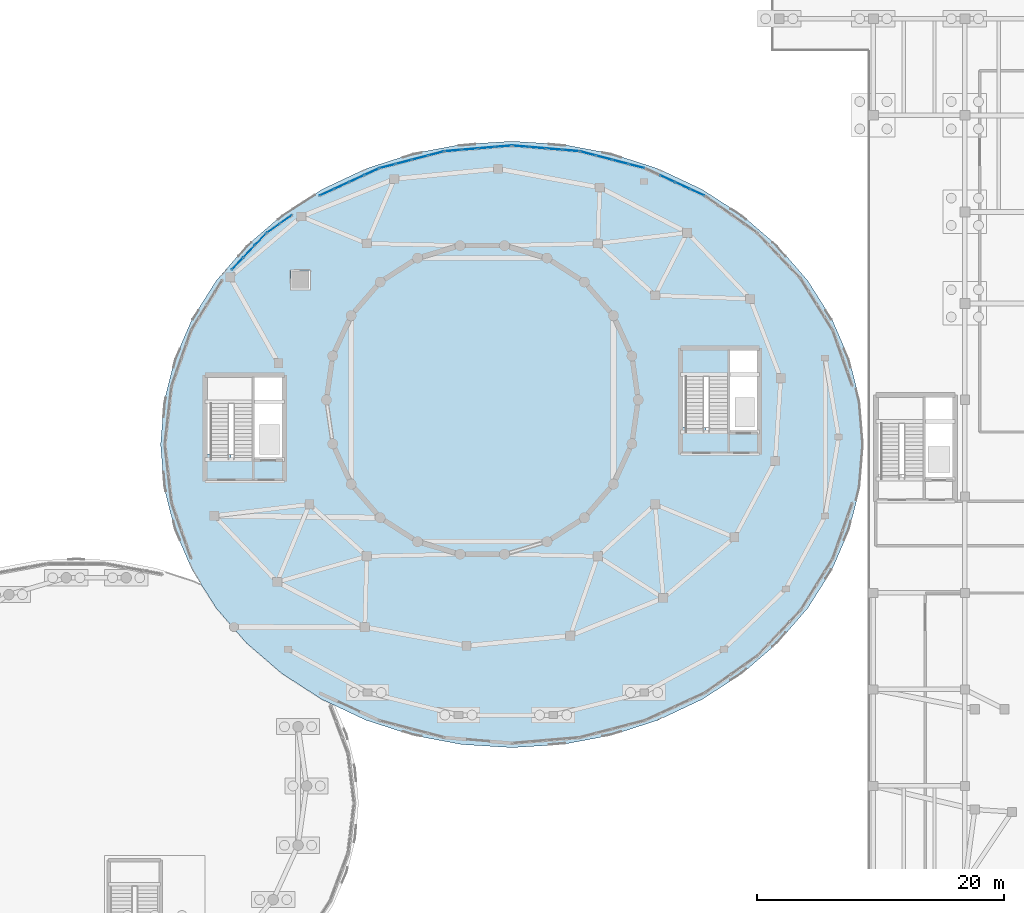
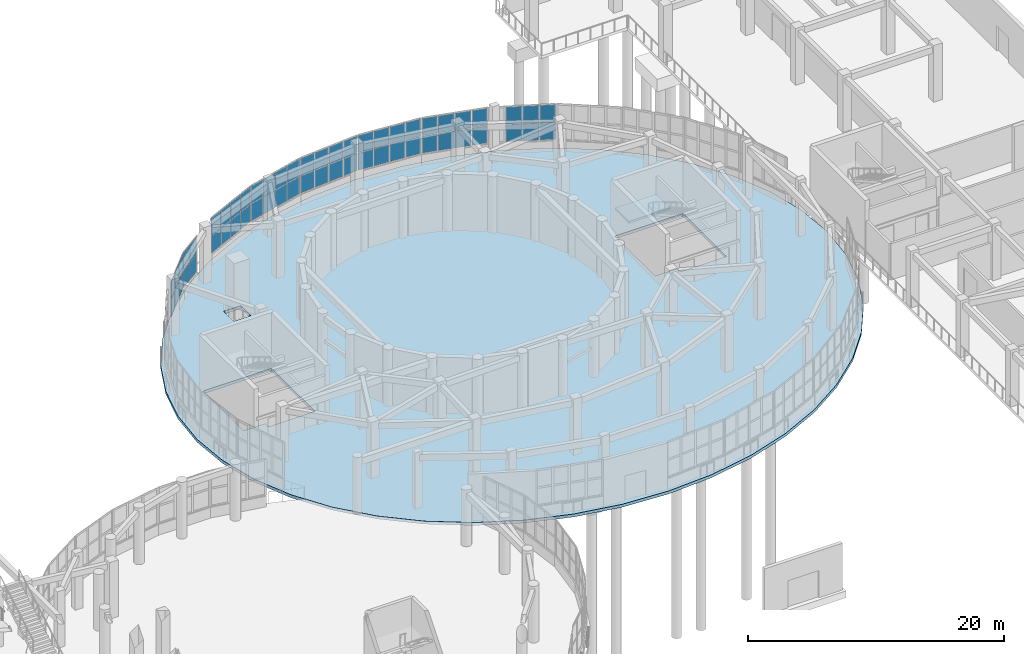
# One storey, part 66 of 96: 56 plates, 2 slabs, 9 elements without a shape of their own.
"""IFC4 building model written with IfcOpenShell, lengths in metres."""

from ifc_helpers import new_model, si_unit, direction, frame, origin, origin_2d, place, context, subcontext, project, spatial, polyline, rectangle, outline, extrude, material, layer, layer_set, type_object, element, aggregate, save


model = new_model("IFC4")

# Units and contexts
model_context = context("Model", 3, precision=1e-05, world=origin(), true_north=direction((0.0, 1.0)))
body_context = subcontext(model_context, "Body", "Model", "MODEL_VIEW")
ifc_project = project(units=[si_unit("LENGTHUNIT", "METRE"), si_unit("AREAUNIT", "SQUARE_METRE"), si_unit("VOLUMEUNIT", "CUBIC_METRE"), si_unit("PLANEANGLEUNIT", "RADIAN"), si_unit("MASSUNIT", "GRAM", prefix="KILO")], contexts=[model_context])

# Site, building, storey
site_placement = place(None, origin())
site = spatial("IfcSite", under=ifc_project, at=site_placement, CompositionType="ELEMENT")
building_placement = place(site_placement, origin())
building = spatial("IfcBuilding", under=site, at=building_placement, Name="Pelvatis Terrace Science Centre", CompositionType="ELEMENT")
storey_placement = place(building_placement, origin())
storey = spatial("IfcBuildingStorey", under=building, at=storey_placement, Name="L00", CompositionType="ELEMENT", Elevation=0.0)

# Curtain wall, plates
ifc_material_1 = material(Name="Bronze-anodised aluminium and laminated glass", Category="aluminium")
ifc_layer_1 = layer(ifc_material_1, 0.199951171875)
ifc_layer_set_1 = layer_set([ifc_layer_1], Name="Bronze-anodised aluminium and laminated glass")
curtain_wall_type = type_object("IfcCurtainWallType", Name="CW-RIBBON-B", PredefinedType="NOTDEFINED", material=ifc_layer_set_1)
curtain_wall_1_placement = place(storey_placement, origin())
curtain_wall_1 = element("IfcCurtainWall", 1, at=curtain_wall_1_placement, inside=storey, type_object=curtain_wall_type, Name="Ribbon curtain wall CW-105 (L00)", PredefinedType="NOTDEFINED")
ifc_material_2 = material(Name="Low-e laminated solar-control double glazing", Category="glass")
ifc_layer_2 = layer(ifc_material_2, 0.031982421875)
ifc_layer_set_2 = layer_set([ifc_layer_2], Name="Low-e laminated solar-control double glazing")
plate_type = type_object("IfcPlateType", Name="CWP-IGU-32", PredefinedType="CURTAIN_PANEL", material=ifc_layer_set_2)
plate_1_placement = place(storey_placement, frame((126.562744140625, 102.565673828125, 1.0849609375), z_axis=(0.0, 0.0, 1.0), x_axis=(-0.908421026067, 0.41805650264, 0.0)))
plate_1 = element("IfcPlate", 2, at=plate_1_placement, type_object=plate_type, Name="CW-105 panel 1.1", PredefinedType="CURTAIN_PANEL", context=body_context, shape_type="SweptSolid", body=[
    extrude(rectangle(XDim=1.237060546875, YDim=0.031982421875, at=origin_2d()), origin(), (0.0, 0.0, 1.0), 1.62255859375),
])
plate_2_placement = place(storey_placement, frame((126.562744140625, 102.565673828125, 2.7724609375), z_axis=(0.0, 0.0, 1.0), x_axis=(-0.908421026067, 0.41805650264, 0.0)))
plate_2 = element("IfcPlate", 3, at=plate_2_placement, type_object=plate_type, Name="CW-105 panel 1.2", PredefinedType="CURTAIN_PANEL", context=body_context, shape_type="SweptSolid", body=[
    extrude(rectangle(XDim=1.237060546875, YDim=0.031982421875, at=origin_2d()), origin(), (0.0, 0.0, 1.0), 1.62255859375),
])
plate_3_placement = place(storey_placement, frame((125.365234375, 103.116943359375, 1.0849609375), z_axis=(0.0, 0.0, 1.0), x_axis=(-0.908421026067, 0.41805650264, 0.0)))
plate_3 = element("IfcPlate", 4, at=plate_3_placement, type_object=plate_type, Name="CW-105 panel 2.1", PredefinedType="CURTAIN_PANEL", context=body_context, shape_type="SweptSolid", body=[
    extrude(rectangle(XDim=1.26953125, YDim=0.031982421875, at=origin_2d()), origin(), (0.0, 0.0, 1.0), 1.62255859375),
])
plate_4_placement = place(storey_placement, frame((125.365234375, 103.116943359375, 2.7724609375), z_axis=(0.0, 0.0, 1.0), x_axis=(-0.908421026067, 0.41805650264, 0.0)))
plate_4 = element("IfcPlate", 5, at=plate_4_placement, type_object=plate_type, Name="CW-105 panel 2.2", PredefinedType="CURTAIN_PANEL", context=body_context, shape_type="SweptSolid", body=[
    extrude(rectangle(XDim=1.26953125, YDim=0.031982421875, at=origin_2d()), origin(), (0.0, 0.0, 1.0), 1.62255859375),
])
plate_5_placement = place(storey_placement, frame((124.15283203125, 103.6748046875, 1.0849609375), z_axis=(0.0, 0.0, 1.0), x_axis=(-0.908421026067, 0.41805650264, 0.0)))
plate_5 = element("IfcPlate", 6, at=plate_5_placement, type_object=plate_type, Name="CW-105 panel 3.1", PredefinedType="CURTAIN_PANEL", context=body_context, shape_type="SweptSolid", body=[
    extrude(rectangle(XDim=1.26953125, YDim=0.031982421875, at=origin_2d()), origin(), (0.0, 0.0, 1.0), 1.62255859375),
])
plate_6_placement = place(storey_placement, frame((124.15283203125, 103.6748046875, 2.7724609375), z_axis=(0.0, 0.0, 1.0), x_axis=(-0.908421026067, 0.41805650264, 0.0)))
plate_6 = element("IfcPlate", 7, at=plate_6_placement, type_object=plate_type, Name="CW-105 panel 3.2", PredefinedType="CURTAIN_PANEL", context=body_context, shape_type="SweptSolid", body=[
    extrude(rectangle(XDim=1.26953125, YDim=0.031982421875, at=origin_2d()), origin(), (0.0, 0.0, 1.0), 1.62255859375),
])
aggregate(curtain_wall_1, [plate_1, plate_2, plate_3, plate_4, plate_5, plate_6])

curtain_wall_2_placement = place(storey_placement, origin())
curtain_wall_2 = element("IfcCurtainWall", 8, at=curtain_wall_2_placement, inside=storey, type_object=curtain_wall_type, Name="Ribbon curtain wall CW-106 (L00)", PredefinedType="NOTDEFINED")
plate_7_placement = place(storey_placement, frame((121.660888671875, 104.6875, 1.0849609375), z_axis=(0.0, 0.0, 1.0), x_axis=(-0.967545180389, 0.252698088449, 0.0)))
plate_7 = element("IfcPlate", 9, at=plate_7_placement, type_object=plate_type, Name="CW-106 panel 1.1", PredefinedType="CURTAIN_PANEL", context=body_context, shape_type="SweptSolid", body=[
    extrude(rectangle(XDim=1.26220703125, YDim=0.031982421875, at=origin_2d()), origin(), (0.0, 0.0, 1.0), 1.62255859375),
])
plate_8_placement = place(storey_placement, frame((121.660888671875, 104.6875, 2.7724609375), z_axis=(0.0, 0.0, 1.0), x_axis=(-0.967545180389, 0.252698088449, 0.0)))
plate_8 = element("IfcPlate", 10, at=plate_8_placement, type_object=plate_type, Name="CW-106 panel 1.2", PredefinedType="CURTAIN_PANEL", context=body_context, shape_type="SweptSolid", body=[
    extrude(rectangle(XDim=1.26220703125, YDim=0.031982421875, at=origin_2d()), origin(), (0.0, 0.0, 1.0), 1.62255859375),
])
plate_9_placement = place(storey_placement, frame((120.361083984375, 105.027099609375, 1.0849609375), z_axis=(0.0, 0.0, 1.0), x_axis=(-0.967545180389, 0.252698088449, 0.0)))
plate_9 = element("IfcPlate", 11, at=plate_9_placement, type_object=plate_type, Name="CW-106 panel 2.1", PredefinedType="CURTAIN_PANEL", context=body_context, shape_type="SweptSolid", body=[
    extrude(rectangle(XDim=1.294677734375, YDim=0.031982421875, at=origin_2d()), origin(), (0.0, 0.0, 1.0), 1.62255859375),
])
plate_10_placement = place(storey_placement, frame((120.361083984375, 105.027099609375, 2.7724609375), z_axis=(0.0, 0.0, 1.0), x_axis=(-0.967545180389, 0.252698088449, 0.0)))
plate_10 = element("IfcPlate", 12, at=plate_10_placement, type_object=plate_type, Name="CW-106 panel 2.2", PredefinedType="CURTAIN_PANEL", context=body_context, shape_type="SweptSolid", body=[
    extrude(rectangle(XDim=1.294677734375, YDim=0.031982421875, at=origin_2d()), origin(), (0.0, 0.0, 1.0), 1.62255859375),
])
plate_11_placement = place(storey_placement, frame((119.045654296875, 105.37060546875, 1.0849609375), z_axis=(0.0, 0.0, 1.0), x_axis=(-0.967545180389, 0.252698088449, 0.0)))
plate_11 = element("IfcPlate", 13, at=plate_11_placement, type_object=plate_type, Name="CW-106 panel 3.1", PredefinedType="CURTAIN_PANEL", context=body_context, shape_type="SweptSolid", body=[
    extrude(rectangle(XDim=1.294677734375, YDim=0.031982421875, at=origin_2d()), origin(), (0.0, 0.0, 1.0), 1.62255859375),
])
plate_12_placement = place(storey_placement, frame((119.045654296875, 105.37060546875, 2.7724609375), z_axis=(0.0, 0.0, 1.0), x_axis=(-0.967545180389, 0.252698088449, 0.0)))
plate_12 = element("IfcPlate", 14, at=plate_12_placement, type_object=plate_type, Name="CW-106 panel 3.2", PredefinedType="CURTAIN_PANEL", context=body_context, shape_type="SweptSolid", body=[
    extrude(rectangle(XDim=1.294677734375, YDim=0.031982421875, at=origin_2d()), origin(), (0.0, 0.0, 1.0), 1.62255859375),
])
plate_13_placement = place(storey_placement, frame((117.745849609375, 105.710205078125, 1.0849609375), z_axis=(0.0, 0.0, 1.0), x_axis=(-0.967545180389, 0.252698088449, 0.0)))
plate_13 = element("IfcPlate", 15, at=plate_13_placement, type_object=plate_type, Name="CW-106 panel 4.1", PredefinedType="CURTAIN_PANEL", context=body_context, shape_type="SweptSolid", body=[
    extrude(rectangle(XDim=1.26220703125, YDim=0.031982421875, at=origin_2d()), origin(), (0.0, 0.0, 1.0), 1.62255859375),
])
plate_14_placement = place(storey_placement, frame((117.745849609375, 105.710205078125, 2.7724609375), z_axis=(0.0, 0.0, 1.0), x_axis=(-0.967545180389, 0.252698088449, 0.0)))
plate_14 = element("IfcPlate", 16, at=plate_14_placement, type_object=plate_type, Name="CW-106 panel 4.2", PredefinedType="CURTAIN_PANEL", context=body_context, shape_type="SweptSolid", body=[
    extrude(rectangle(XDim=1.26220703125, YDim=0.031982421875, at=origin_2d()), origin(), (0.0, 0.0, 1.0), 1.62255859375),
])
aggregate(curtain_wall_2, [plate_7, plate_8, plate_9, plate_10, plate_11, plate_12, plate_13, plate_14])

curtain_wall_3_placement = place(storey_placement, origin())
curtain_wall_3 = element("IfcCurtainWall", 17, at=curtain_wall_3_placement, inside=storey, type_object=curtain_wall_type, Name="Ribbon curtain wall CW-107 (L00)", PredefinedType="NOTDEFINED")
plate_15_placement = place(storey_placement, frame((116.3720703125, 105.9453125, 1.0849609375), z_axis=(0.0, 0.0, 1.0), x_axis=(-0.996424538597, 0.084487507255, 0.0)))
plate_15 = element("IfcPlate", 18, at=plate_15_placement, type_object=plate_type, Name="CW-107 panel 1.1", PredefinedType="CURTAIN_PANEL", context=body_context, shape_type="SweptSolid", body=[
    extrude(rectangle(XDim=1.275390625, YDim=0.031982421875, at=origin_2d()), origin(), (0.0, 0.0, 1.0), 1.62255859375),
])
plate_16_placement = place(storey_placement, frame((116.3720703125, 105.9453125, 2.7724609375), z_axis=(0.0, 0.0, 1.0), x_axis=(-0.996424538597, 0.084487507255, 0.0)))
plate_16 = element("IfcPlate", 19, at=plate_16_placement, type_object=plate_type, Name="CW-107 panel 1.2", PredefinedType="CURTAIN_PANEL", context=body_context, shape_type="SweptSolid", body=[
    extrude(rectangle(XDim=1.275390625, YDim=0.031982421875, at=origin_2d()), origin(), (0.0, 0.0, 1.0), 1.62255859375),
])
plate_17_placement = place(storey_placement, frame((115.020263671875, 106.06005859375, 1.0849609375), z_axis=(0.0, 0.0, 1.0), x_axis=(-0.996424538597, 0.084487507255, 0.0)))
plate_17 = element("IfcPlate", 20, at=plate_17_placement, type_object=plate_type, Name="CW-107 panel 2.1", PredefinedType="CURTAIN_PANEL", context=body_context, shape_type="SweptSolid", body=[
    extrude(rectangle(XDim=1.30810546875, YDim=0.031982421875, at=origin_2d()), origin(), (0.0, 0.0, 1.0), 1.62255859375),
])
plate_18_placement = place(storey_placement, frame((115.020263671875, 106.06005859375, 2.7724609375), z_axis=(0.0, 0.0, 1.0), x_axis=(-0.996424538597, 0.084487507255, 0.0)))
plate_18 = element("IfcPlate", 21, at=plate_18_placement, type_object=plate_type, Name="CW-107 panel 2.2", PredefinedType="CURTAIN_PANEL", context=body_context, shape_type="SweptSolid", body=[
    extrude(rectangle(XDim=1.30810546875, YDim=0.031982421875, at=origin_2d()), origin(), (0.0, 0.0, 1.0), 1.62255859375),
])
plate_19_placement = place(storey_placement, frame((113.652099609375, 106.176025390625, 1.0849609375), z_axis=(0.0, 0.0, 1.0), x_axis=(-0.996424538597, 0.084487507255, 0.0)))
plate_19 = element("IfcPlate", 22, at=plate_19_placement, type_object=plate_type, Name="CW-107 panel 3.1", PredefinedType="CURTAIN_PANEL", context=body_context, shape_type="SweptSolid", body=[
    extrude(rectangle(XDim=1.30810546875, YDim=0.031982421875, at=origin_2d()), origin(), (0.0, 0.0, 1.0), 1.62255859375),
])
plate_20_placement = place(storey_placement, frame((113.652099609375, 106.176025390625, 2.7724609375), z_axis=(0.0, 0.0, 1.0), x_axis=(-0.996424538597, 0.084487507255, 0.0)))
plate_20 = element("IfcPlate", 23, at=plate_20_placement, type_object=plate_type, Name="CW-107 panel 3.2", PredefinedType="CURTAIN_PANEL", context=body_context, shape_type="SweptSolid", body=[
    extrude(rectangle(XDim=1.30810546875, YDim=0.031982421875, at=origin_2d()), origin(), (0.0, 0.0, 1.0), 1.62255859375),
])
plate_21_placement = place(storey_placement, frame((112.30029296875, 106.29052734375, 1.0849609375), z_axis=(0.0, 0.0, 1.0), x_axis=(-0.996424538597, 0.084487507255, 0.0)))
plate_21 = element("IfcPlate", 24, at=plate_21_placement, type_object=plate_type, Name="CW-107 panel 4.1", PredefinedType="CURTAIN_PANEL", context=body_context, shape_type="SweptSolid", body=[
    extrude(rectangle(XDim=1.275390625, YDim=0.031982421875, at=origin_2d()), origin(), (0.0, 0.0, 1.0), 1.62255859375),
])
plate_22_placement = place(storey_placement, frame((112.30029296875, 106.29052734375, 2.7724609375), z_axis=(0.0, 0.0, 1.0), x_axis=(-0.996424538597, 0.084487507255, 0.0)))
plate_22 = element("IfcPlate", 25, at=plate_22_placement, type_object=plate_type, Name="CW-107 panel 4.2", PredefinedType="CURTAIN_PANEL", context=body_context, shape_type="SweptSolid", body=[
    extrude(rectangle(XDim=1.275390625, YDim=0.031982421875, at=origin_2d()), origin(), (0.0, 0.0, 1.0), 1.62255859375),
])
aggregate(curtain_wall_3, [plate_15, plate_16, plate_17, plate_18, plate_19, plate_20, plate_21, plate_22])

curtain_wall_4_placement = place(storey_placement, origin())
curtain_wall_4 = element("IfcCurtainWall", 26, at=curtain_wall_4_placement, inside=storey, type_object=curtain_wall_type, Name="Ribbon curtain wall CW-108 (L00)", PredefinedType="NOTDEFINED")
plate_23_placement = place(storey_placement, frame((110.899658203125, 106.29052734375, 1.0849609375), z_axis=(0.0, 0.0, 1.0), x_axis=(-0.996424538597, -0.084487507255, 0.0)))
plate_23 = element("IfcPlate", 27, at=plate_23_placement, type_object=plate_type, Name="CW-108 panel 1.1", PredefinedType="CURTAIN_PANEL", context=body_context, shape_type="SweptSolid", body=[
    extrude(rectangle(XDim=1.275390625, YDim=0.031982421875, at=origin_2d()), origin(), (0.0, 0.0, 1.0), 1.62255859375),
])
plate_24_placement = place(storey_placement, frame((110.899658203125, 106.29052734375, 2.7724609375), z_axis=(0.0, 0.0, 1.0), x_axis=(-0.996424538597, -0.084487507255, 0.0)))
plate_24 = element("IfcPlate", 28, at=plate_24_placement, type_object=plate_type, Name="CW-108 panel 1.2", PredefinedType="CURTAIN_PANEL", context=body_context, shape_type="SweptSolid", body=[
    extrude(rectangle(XDim=1.275390625, YDim=0.031982421875, at=origin_2d()), origin(), (0.0, 0.0, 1.0), 1.62255859375),
])
plate_25_placement = place(storey_placement, frame((109.5478515625, 106.176025390625, 1.0849609375), z_axis=(0.0, 0.0, 1.0), x_axis=(-0.996424538597, -0.084487507255, 0.0)))
plate_25 = element("IfcPlate", 29, at=plate_25_placement, type_object=plate_type, Name="CW-108 panel 2.1", PredefinedType="CURTAIN_PANEL", context=body_context, shape_type="SweptSolid", body=[
    extrude(rectangle(XDim=1.30810546875, YDim=0.031982421875, at=origin_2d()), origin(), (0.0, 0.0, 1.0), 1.62255859375),
])
plate_26_placement = place(storey_placement, frame((109.5478515625, 106.176025390625, 2.7724609375), z_axis=(0.0, 0.0, 1.0), x_axis=(-0.996424538597, -0.084487507255, 0.0)))
plate_26 = element("IfcPlate", 30, at=plate_26_placement, type_object=plate_type, Name="CW-108 panel 2.2", PredefinedType="CURTAIN_PANEL", context=body_context, shape_type="SweptSolid", body=[
    extrude(rectangle(XDim=1.30810546875, YDim=0.031982421875, at=origin_2d()), origin(), (0.0, 0.0, 1.0), 1.62255859375),
])
plate_27_placement = place(storey_placement, frame((108.179931640625, 106.06005859375, 1.0849609375), z_axis=(0.0, 0.0, 1.0), x_axis=(-0.996424538597, -0.084487507255, 0.0)))
plate_27 = element("IfcPlate", 31, at=plate_27_placement, type_object=plate_type, Name="CW-108 panel 3.1", PredefinedType="CURTAIN_PANEL", context=body_context, shape_type="SweptSolid", body=[
    extrude(rectangle(XDim=1.30810546875, YDim=0.031982421875, at=origin_2d()), origin(), (0.0, 0.0, 1.0), 1.62255859375),
])
plate_28_placement = place(storey_placement, frame((108.179931640625, 106.06005859375, 2.7724609375), z_axis=(0.0, 0.0, 1.0), x_axis=(-0.996424538597, -0.084487507255, 0.0)))
plate_28 = element("IfcPlate", 32, at=plate_28_placement, type_object=plate_type, Name="CW-108 panel 3.2", PredefinedType="CURTAIN_PANEL", context=body_context, shape_type="SweptSolid", body=[
    extrude(rectangle(XDim=1.30810546875, YDim=0.031982421875, at=origin_2d()), origin(), (0.0, 0.0, 1.0), 1.62255859375),
])
plate_29_placement = place(storey_placement, frame((106.827880859375, 105.9453125, 1.0849609375), z_axis=(0.0, 0.0, 1.0), x_axis=(-0.996424538597, -0.084487507255, 0.0)))
plate_29 = element("IfcPlate", 33, at=plate_29_placement, type_object=plate_type, Name="CW-108 panel 4.1", PredefinedType="CURTAIN_PANEL", context=body_context, shape_type="SweptSolid", body=[
    extrude(rectangle(XDim=1.275390625, YDim=0.031982421875, at=origin_2d()), origin(), (0.0, 0.0, 1.0), 1.62255859375),
])
plate_30_placement = place(storey_placement, frame((106.827880859375, 105.9453125, 2.7724609375), z_axis=(0.0, 0.0, 1.0), x_axis=(-0.996424538597, -0.084487507255, 0.0)))
plate_30 = element("IfcPlate", 34, at=plate_30_placement, type_object=plate_type, Name="CW-108 panel 4.2", PredefinedType="CURTAIN_PANEL", context=body_context, shape_type="SweptSolid", body=[
    extrude(rectangle(XDim=1.275390625, YDim=0.031982421875, at=origin_2d()), origin(), (0.0, 0.0, 1.0), 1.62255859375),
])
aggregate(curtain_wall_4, [plate_23, plate_24, plate_25, plate_26, plate_27, plate_28, plate_29, plate_30])

curtain_wall_5_placement = place(storey_placement, origin())
curtain_wall_5 = element("IfcCurtainWall", 35, at=curtain_wall_5_placement, inside=storey, type_object=curtain_wall_type, Name="Ribbon curtain wall CW-109 (L00)", PredefinedType="NOTDEFINED")
plate_31_placement = place(storey_placement, frame((105.454345703125, 105.710205078125, 1.0849609375), z_axis=(0.0, 0.0, 1.0), x_axis=(-0.967545180389, -0.252698088449, 0.0)))
plate_31 = element("IfcPlate", 36, at=plate_31_placement, type_object=plate_type, Name="CW-109 panel 1.1", PredefinedType="CURTAIN_PANEL", context=body_context, shape_type="SweptSolid", body=[
    extrude(rectangle(XDim=1.26220703125, YDim=0.031982421875, at=origin_2d()), origin(), (0.0, 0.0, 1.0), 1.62255859375),
])
plate_32_placement = place(storey_placement, frame((105.454345703125, 105.710205078125, 2.7724609375), z_axis=(0.0, 0.0, 1.0), x_axis=(-0.967545180389, -0.252698088449, 0.0)))
plate_32 = element("IfcPlate", 37, at=plate_32_placement, type_object=plate_type, Name="CW-109 panel 1.2", PredefinedType="CURTAIN_PANEL", context=body_context, shape_type="SweptSolid", body=[
    extrude(rectangle(XDim=1.26220703125, YDim=0.031982421875, at=origin_2d()), origin(), (0.0, 0.0, 1.0), 1.62255859375),
])
plate_33_placement = place(storey_placement, frame((104.154541015625, 105.37060546875, 1.0849609375), z_axis=(0.0, 0.0, 1.0), x_axis=(-0.967545180389, -0.252698088449, 0.0)))
plate_33 = element("IfcPlate", 38, at=plate_33_placement, type_object=plate_type, Name="CW-109 panel 2.1", PredefinedType="CURTAIN_PANEL", context=body_context, shape_type="SweptSolid", body=[
    extrude(rectangle(XDim=1.294677734375, YDim=0.031982421875, at=origin_2d()), origin(), (0.0, 0.0, 1.0), 1.62255859375),
])
plate_34_placement = place(storey_placement, frame((104.154541015625, 105.37060546875, 2.7724609375), z_axis=(0.0, 0.0, 1.0), x_axis=(-0.967545180389, -0.252698088449, 0.0)))
plate_34 = element("IfcPlate", 39, at=plate_34_placement, type_object=plate_type, Name="CW-109 panel 2.2", PredefinedType="CURTAIN_PANEL", context=body_context, shape_type="SweptSolid", body=[
    extrude(rectangle(XDim=1.294677734375, YDim=0.031982421875, at=origin_2d()), origin(), (0.0, 0.0, 1.0), 1.62255859375),
])
plate_35_placement = place(storey_placement, frame((102.8388671875, 105.027099609375, 1.0849609375), z_axis=(0.0, 0.0, 1.0), x_axis=(-0.967545180389, -0.252698088449, 0.0)))
plate_35 = element("IfcPlate", 40, at=plate_35_placement, type_object=plate_type, Name="CW-109 panel 3.1", PredefinedType="CURTAIN_PANEL", context=body_context, shape_type="SweptSolid", body=[
    extrude(rectangle(XDim=1.294677734375, YDim=0.031982421875, at=origin_2d()), origin(), (0.0, 0.0, 1.0), 1.62255859375),
])
plate_36_placement = place(storey_placement, frame((102.8388671875, 105.027099609375, 2.7724609375), z_axis=(0.0, 0.0, 1.0), x_axis=(-0.967545180389, -0.252698088449, 0.0)))
plate_36 = element("IfcPlate", 41, at=plate_36_placement, type_object=plate_type, Name="CW-109 panel 3.2", PredefinedType="CURTAIN_PANEL", context=body_context, shape_type="SweptSolid", body=[
    extrude(rectangle(XDim=1.294677734375, YDim=0.031982421875, at=origin_2d()), origin(), (0.0, 0.0, 1.0), 1.62255859375),
])
plate_37_placement = place(storey_placement, frame((101.5390625, 104.6875, 1.0849609375), z_axis=(0.0, 0.0, 1.0), x_axis=(-0.967545180389, -0.252698088449, 0.0)))
plate_37 = element("IfcPlate", 42, at=plate_37_placement, type_object=plate_type, Name="CW-109 panel 4.1", PredefinedType="CURTAIN_PANEL", context=body_context, shape_type="SweptSolid", body=[
    extrude(rectangle(XDim=1.26220703125, YDim=0.031982421875, at=origin_2d()), origin(), (0.0, 0.0, 1.0), 1.62255859375),
])
plate_38_placement = place(storey_placement, frame((101.5390625, 104.6875, 2.7724609375), z_axis=(0.0, 0.0, 1.0), x_axis=(-0.967545180389, -0.252698088449, 0.0)))
plate_38 = element("IfcPlate", 43, at=plate_38_placement, type_object=plate_type, Name="CW-109 panel 4.2", PredefinedType="CURTAIN_PANEL", context=body_context, shape_type="SweptSolid", body=[
    extrude(rectangle(XDim=1.26220703125, YDim=0.031982421875, at=origin_2d()), origin(), (0.0, 0.0, 1.0), 1.62255859375),
])
aggregate(curtain_wall_5, [plate_31, plate_32, plate_33, plate_34, plate_35, plate_36, plate_37, plate_38])

curtain_wall_6_placement = place(storey_placement, origin())
curtain_wall_6 = element("IfcCurtainWall", 44, at=curtain_wall_6_placement, inside=storey, type_object=curtain_wall_type, Name="Ribbon curtain wall CW-110 (L00)", PredefinedType="NOTDEFINED")
plate_39_placement = place(storey_placement, frame((100.244873046875, 104.225830078125, 1.0849609375), z_axis=(0.0, 0.0, 1.0), x_axis=(-0.908421026067, -0.41805650264, 0.0)))
plate_39 = element("IfcPlate", 45, at=plate_39_placement, type_object=plate_type, Name="CW-110 panel 1.1", PredefinedType="CURTAIN_PANEL", context=body_context, shape_type="SweptSolid", body=[
    extrude(rectangle(XDim=1.237060546875, YDim=0.031982421875, at=origin_2d()), origin(), (0.0, 0.0, 1.0), 1.62255859375),
])
plate_40_placement = place(storey_placement, frame((100.244873046875, 104.225830078125, 2.7724609375), z_axis=(0.0, 0.0, 1.0), x_axis=(-0.908421026067, -0.41805650264, 0.0)))
plate_40 = element("IfcPlate", 46, at=plate_40_placement, type_object=plate_type, Name="CW-110 panel 1.2", PredefinedType="CURTAIN_PANEL", context=body_context, shape_type="SweptSolid", body=[
    extrude(rectangle(XDim=1.237060546875, YDim=0.031982421875, at=origin_2d()), origin(), (0.0, 0.0, 1.0), 1.62255859375),
])
plate_41_placement = place(storey_placement, frame((99.047119140625, 103.6748046875, 1.0849609375), z_axis=(0.0, 0.0, 1.0), x_axis=(-0.908421026067, -0.41805650264, 0.0)))
plate_41 = element("IfcPlate", 47, at=plate_41_placement, type_object=plate_type, Name="CW-110 panel 2.1", PredefinedType="CURTAIN_PANEL", context=body_context, shape_type="SweptSolid", body=[
    extrude(rectangle(XDim=1.26953125, YDim=0.031982421875, at=origin_2d()), origin(), (0.0, 0.0, 1.0), 1.62255859375),
])
plate_42_placement = place(storey_placement, frame((99.047119140625, 103.6748046875, 2.7724609375), z_axis=(0.0, 0.0, 1.0), x_axis=(-0.908421026067, -0.41805650264, 0.0)))
plate_42 = element("IfcPlate", 48, at=plate_42_placement, type_object=plate_type, Name="CW-110 panel 2.2", PredefinedType="CURTAIN_PANEL", context=body_context, shape_type="SweptSolid", body=[
    extrude(rectangle(XDim=1.26953125, YDim=0.031982421875, at=origin_2d()), origin(), (0.0, 0.0, 1.0), 1.62255859375),
])
plate_43_placement = place(storey_placement, frame((97.834716796875, 103.116943359375, 1.0849609375), z_axis=(0.0, 0.0, 1.0), x_axis=(-0.908421026067, -0.41805650264, 0.0)))
plate_43 = element("IfcPlate", 49, at=plate_43_placement, type_object=plate_type, Name="CW-110 panel 3.1", PredefinedType="CURTAIN_PANEL", context=body_context, shape_type="SweptSolid", body=[
    extrude(rectangle(XDim=1.26953125, YDim=0.031982421875, at=origin_2d()), origin(), (0.0, 0.0, 1.0), 1.62255859375),
])
plate_44_placement = place(storey_placement, frame((97.834716796875, 103.116943359375, 2.7724609375), z_axis=(0.0, 0.0, 1.0), x_axis=(-0.908421026067, -0.41805650264, 0.0)))
plate_44 = element("IfcPlate", 50, at=plate_44_placement, type_object=plate_type, Name="CW-110 panel 3.2", PredefinedType="CURTAIN_PANEL", context=body_context, shape_type="SweptSolid", body=[
    extrude(rectangle(XDim=1.26953125, YDim=0.031982421875, at=origin_2d()), origin(), (0.0, 0.0, 1.0), 1.62255859375),
])
plate_45_placement = place(storey_placement, frame((96.63720703125, 102.565673828125, 1.0849609375), z_axis=(0.0, 0.0, 1.0), x_axis=(-0.908421026067, -0.41805650264, 0.0)))
plate_45 = element("IfcPlate", 51, at=plate_45_placement, type_object=plate_type, Name="CW-110 panel 4.1", PredefinedType="CURTAIN_PANEL", context=body_context, shape_type="SweptSolid", body=[
    extrude(rectangle(XDim=1.237060546875, YDim=0.031982421875, at=origin_2d()), origin(), (0.0, 0.0, 1.0), 1.62255859375),
])
plate_46_placement = place(storey_placement, frame((96.63720703125, 102.565673828125, 2.7724609375), z_axis=(0.0, 0.0, 1.0), x_axis=(-0.908421026067, -0.41805650264, 0.0)))
plate_46 = element("IfcPlate", 52, at=plate_46_placement, type_object=plate_type, Name="CW-110 panel 4.2", PredefinedType="CURTAIN_PANEL", context=body_context, shape_type="SweptSolid", body=[
    extrude(rectangle(XDim=1.237060546875, YDim=0.031982421875, at=origin_2d()), origin(), (0.0, 0.0, 1.0), 1.62255859375),
])
aggregate(curtain_wall_6, [plate_39, plate_40, plate_41, plate_42, plate_43, plate_44, plate_45, plate_46])

curtain_wall_7_placement = place(storey_placement, origin())
curtain_wall_7 = element("IfcCurtainWall", 53, at=curtain_wall_7_placement, inside=storey, type_object=curtain_wall_type, Name="Ribbon curtain wall CW-111 (L00)", PredefinedType="NOTDEFINED")
plate_47_placement = place(storey_placement, frame((93.324462890625, 100.3779296875, 1.0849609375), z_axis=(0.0, 0.0, 1.0), x_axis=(-0.816705397731, -0.577054844288, 0.0)))
plate_47 = element("IfcPlate", 54, at=plate_47_placement, type_object=plate_type, Name="CW-111 panel 1.1", PredefinedType="CURTAIN_PANEL", context=body_context, shape_type="SweptSolid", body=[
    extrude(rectangle(XDim=1.185791015625, YDim=0.031982421875, at=origin_2d()), origin(), (0.0, 0.0, 1.0), 1.62255859375),
])
plate_48_placement = place(storey_placement, frame((93.324462890625, 100.3779296875, 2.7724609375), z_axis=(0.0, 0.0, 1.0), x_axis=(-0.816705397731, -0.577054844288, 0.0)))
plate_48 = element("IfcPlate", 55, at=plate_48_placement, type_object=plate_type, Name="CW-111 panel 1.2", PredefinedType="CURTAIN_PANEL", context=body_context, shape_type="SweptSolid", body=[
    extrude(rectangle(XDim=1.185791015625, YDim=0.031982421875, at=origin_2d()), origin(), (0.0, 0.0, 1.0), 1.62255859375),
])
plate_49_placement = place(storey_placement, frame((92.302978515625, 99.65625, 1.0849609375), z_axis=(0.0, 0.0, 1.0), x_axis=(-0.816705397731, -0.577054844288, 0.0)))
plate_49 = element("IfcPlate", 56, at=plate_49_placement, type_object=plate_type, Name="CW-111 panel 2.1", PredefinedType="CURTAIN_PANEL", context=body_context, shape_type="SweptSolid", body=[
    extrude(rectangle(XDim=1.185791015625, YDim=0.031982421875, at=origin_2d()), origin(), (0.0, 0.0, 1.0), 1.62255859375),
])
plate_50_placement = place(storey_placement, frame((92.302978515625, 99.65625, 2.7724609375), z_axis=(0.0, 0.0, 1.0), x_axis=(-0.816705397731, -0.577054844288, 0.0)))
plate_50 = element("IfcPlate", 57, at=plate_50_placement, type_object=plate_type, Name="CW-111 panel 2.2", PredefinedType="CURTAIN_PANEL", context=body_context, shape_type="SweptSolid", body=[
    extrude(rectangle(XDim=1.185791015625, YDim=0.031982421875, at=origin_2d()), origin(), (0.0, 0.0, 1.0), 1.62255859375),
])
aggregate(curtain_wall_7, [plate_47, plate_48, plate_49, plate_50])

curtain_wall_8_placement = place(storey_placement, origin())
curtain_wall_8 = element("IfcCurtainWall", 58, at=curtain_wall_8_placement, inside=storey, type_object=curtain_wall_type, Name="Ribbon curtain wall CW-112 (L00)", PredefinedType="NOTDEFINED")
plate_51_placement = place(storey_placement, frame((91.281494140625, 98.7685546875, 1.0849609375), z_axis=(0.0, 0.0, 1.0), x_axis=(-0.689968997227, -0.723838920524, 0.0)))
plate_51 = element("IfcPlate", 59, at=plate_51_placement, type_object=plate_type, Name="CW-112 panel 1.1", PredefinedType="CURTAIN_PANEL", context=body_context, shape_type="SweptSolid", body=[
    extrude(rectangle(XDim=1.2734375, YDim=0.031982421875, at=origin_2d()), origin(), (0.0, 0.0, 1.0), 1.62255859375),
])
plate_52_placement = place(storey_placement, frame((91.281494140625, 98.7685546875, 2.7724609375), z_axis=(0.0, 0.0, 1.0), x_axis=(-0.689968997227, -0.723838920524, 0.0)))
plate_52 = element("IfcPlate", 60, at=plate_52_placement, type_object=plate_type, Name="CW-112 panel 1.2", PredefinedType="CURTAIN_PANEL", context=body_context, shape_type="SweptSolid", body=[
    extrude(rectangle(XDim=1.2734375, YDim=0.031982421875, at=origin_2d()), origin(), (0.0, 0.0, 1.0), 1.62255859375),
])
plate_53_placement = place(storey_placement, frame((90.346923828125, 97.7880859375, 1.0849609375), z_axis=(0.0, 0.0, 1.0), x_axis=(-0.689968997227, -0.723838920524, 0.0)))
plate_53 = element("IfcPlate", 61, at=plate_53_placement, type_object=plate_type, Name="CW-112 panel 2.1", PredefinedType="CURTAIN_PANEL", context=body_context, shape_type="SweptSolid", body=[
    extrude(rectangle(XDim=1.305908203125, YDim=0.031982421875, at=origin_2d()), origin(), (0.0, 0.0, 1.0), 1.62255859375),
])
plate_54_placement = place(storey_placement, frame((90.346923828125, 97.7880859375, 2.7724609375), z_axis=(0.0, 0.0, 1.0), x_axis=(-0.689968997227, -0.723838920524, 0.0)))
plate_54 = element("IfcPlate", 62, at=plate_54_placement, type_object=plate_type, Name="CW-112 panel 2.2", PredefinedType="CURTAIN_PANEL", context=body_context, shape_type="SweptSolid", body=[
    extrude(rectangle(XDim=1.305908203125, YDim=0.031982421875, at=origin_2d()), origin(), (0.0, 0.0, 1.0), 1.62255859375),
])
plate_55_placement = place(storey_placement, frame((89.412109375, 96.8076171875, 1.0849609375), z_axis=(0.0, 0.0, 1.0), x_axis=(-0.689968997227, -0.723838920524, 0.0)))
plate_55 = element("IfcPlate", 63, at=plate_55_placement, type_object=plate_type, Name="CW-112 panel 3.1", PredefinedType="CURTAIN_PANEL", context=body_context, shape_type="SweptSolid", body=[
    extrude(rectangle(XDim=1.2734375, YDim=0.031982421875, at=origin_2d()), origin(), (0.0, 0.0, 1.0), 1.62255859375),
])
plate_56_placement = place(storey_placement, frame((89.412109375, 96.8076171875, 2.7724609375), z_axis=(0.0, 0.0, 1.0), x_axis=(-0.689968997227, -0.723838920524, 0.0)))
plate_56 = element("IfcPlate", 64, at=plate_56_placement, type_object=plate_type, Name="CW-112 panel 3.2", PredefinedType="CURTAIN_PANEL", context=body_context, shape_type="SweptSolid", body=[
    extrude(rectangle(XDim=1.2734375, YDim=0.031982421875, at=origin_2d()), origin(), (0.0, 0.0, 1.0), 1.62255859375),
])
aggregate(curtain_wall_8, [plate_51, plate_52, plate_53, plate_54, plate_55, plate_56])

# Slab
ifc_material_3 = material(Name="Concrete C35/45", Category="concrete")
ifc_layer_3 = layer(ifc_material_3, 0.280029296875)
ifc_layer_set_3 = layer_set([ifc_layer_3], Name="Concrete C35/45")
slab_type_1 = type_object("IfcSlabType", Name="SLB-FLR-280", PredefinedType="FLOOR", material=ifc_layer_set_3)
slab_1_placement = place(storey_placement, frame((0.0, 0.0, -0.280029296875)))
element("IfcSlab", 65, at=slab_1_placement, inside=storey, type_object=slab_type_1, Name="L00 Planetarium and physics base spiral drum slab", PredefinedType="FLOOR", context=body_context, shape_type="SweptSolid", body=[
    extrude(outline(polyline([(139.7109375, 78.71337890625), (138.849609375, 75.297607421875), (137.43359375, 72.022216796875), (135.49169921875, 68.954345703125), (133.063232421875, 66.156005859375), (130.197998046875, 63.68408203125), (126.9541015625, 61.58935546875), (123.397705078125, 59.9140625), (119.601318359375, 58.6923828125), (115.6416015625, 57.949462890625), (111.60009765625, 57.699951171875), (107.558349609375, 57.949462890625), (103.598876953125, 58.6923828125), (99.80224609375, 59.9140625), (96.245849609375, 61.58935546875), (93.001953125, 63.68408203125), (90.13671875, 66.156005859375), (87.70849609375, 68.954345703125), (85.7666015625, 72.022216796875), (84.350341796875, 75.297607421875), (83.489013671875, 78.71337890625), (83.199951171875, 82.199951171875), (83.489013671875, 85.686767578125), (84.350341796875, 89.102294921875), (85.7666015625, 92.377685546875), (87.70849609375, 95.44580078125), (90.13671875, 98.244140625), (93.001953125, 100.7158203125), (96.245849609375, 102.810791015625), (99.80224609375, 104.486083984375), (103.598876953125, 105.70751953125), (107.558349609375, 106.45068359375), (111.60009765625, 106.699951171875), (115.6416015625, 106.45068359375), (119.601318359375, 105.70751953125), (123.397705078125, 104.486083984375), (126.9541015625, 102.810791015625), (130.197998046875, 100.7158203125), (133.063232421875, 98.244140625), (135.49169921875, 95.44580078125), (137.43359375, 92.377685546875), (138.849609375, 89.102294921875), (139.7109375, 85.686767578125), (140.0, 82.199951171875), (139.7109375, 78.71337890625)]), holes=[polyline([(86.919921875, 81.419921875), (88.8798828125, 81.419921875), (88.8798828125, 80.919921875), (93.080078125, 80.919921875), (93.080078125, 87.679931640625), (86.919921875, 87.679931640625), (86.919921875, 81.419921875)]), polyline([(125.320068359375, 89.8798828125), (125.320068359375, 83.6201171875), (127.280029296875, 83.6201171875), (127.280029296875, 83.1201171875), (131.47998046875, 83.1201171875), (131.47998046875, 89.8798828125), (125.320068359375, 89.8798828125)]), polyline([(93.72509765625, 96.27490234375), (93.72509765625, 94.72509765625), (95.27490234375, 94.72509765625), (95.27490234375, 96.27490234375), (93.72509765625, 96.27490234375)])]), origin(), (0.0, 0.0, 1.0), 0.280029296875),
])

# Stair, slab
ifc_material_4 = material(Name="Concrete C35/45", Category="concrete")
stair_type = type_object("IfcStairType", Name="STR-2RUN-1500-54", PredefinedType="TWO_STRAIGHT_RUN_STAIR", material=ifc_material_4)
stair_placement = place(storey_placement, origin())
stair = element("IfcStair", 66, at=stair_placement, inside=storey, type_object=stair_type, Name="Protected core stair ST-02-L00", PredefinedType="TWO_STRAIGHT_RUN_STAIR")
ifc_material_5 = material(Name="Concrete C35/45", Category="concrete")
ifc_layer_4 = layer(ifc_material_5, 0.199951171875)
ifc_layer_set_4 = layer_set([ifc_layer_4], Name="Concrete C35/45")
slab_type_2 = type_object("IfcSlabType", Name="SLB-LND-200", PredefinedType="LANDING", material=ifc_layer_set_4)
slab_2_placement = place(storey_placement, frame((0.0, 0.0, 2.5)))
slab_2 = element("IfcSlab", 67, at=slab_2_placement, type_object=slab_type_2, Name="ST-02-L00 landing 1", PredefinedType="LANDING", context=body_context, shape_type="SweptSolid", body=[
    extrude(outline(polyline([(125.330078125, 87.699951171875), (129.050048828125, 87.699951171875), (129.050048828125, 89.8701171875), (125.330078125, 89.8701171875), (125.330078125, 87.699951171875)])), origin(), (0.0, 0.0, 1.0), 0.199951171875),
])
aggregate(stair, [slab_2])

save(model, "model.ifc")
